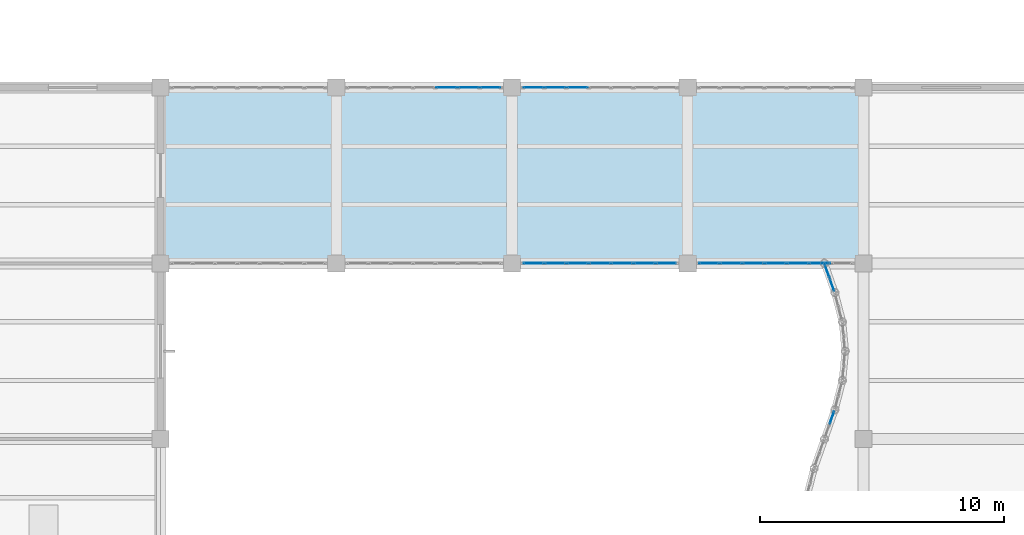
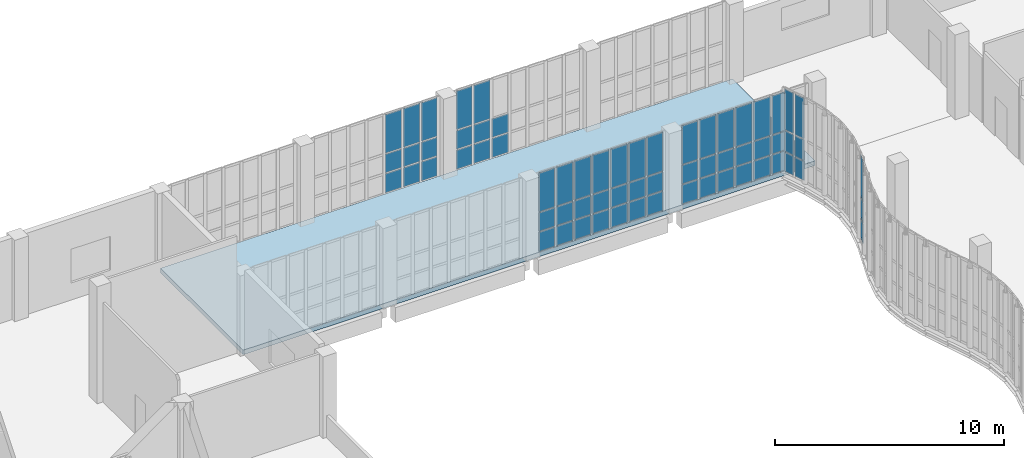
# One storey, part 75 of 108: 65 plates, 1 slab, 6 elements without a shape of their own.
"""IFC4 building model written with IfcOpenShell, lengths in metres."""

from ifc_helpers import new_model, si_unit, direction, frame, origin, origin_2d, place, context, subcontext, project, spatial, polyline, rectangle, outline, extrude, material, layer, layer_set, type_object, element, aggregate, save


model = new_model("IFC4")

# Units and contexts
model_context = context("Model", 3, precision=1e-05, world=origin(), true_north=direction((0.0, 1.0)))
body_context = subcontext(model_context, "Body", "Model", "MODEL_VIEW")
ifc_project = project(units=[si_unit("LENGTHUNIT", "METRE"), si_unit("AREAUNIT", "SQUARE_METRE"), si_unit("VOLUMEUNIT", "CUBIC_METRE"), si_unit("PLANEANGLEUNIT", "RADIAN"), si_unit("MASSUNIT", "GRAM", prefix="KILO"), si_unit("THERMODYNAMICTEMPERATUREUNIT", "KELVIN"), si_unit("POWERUNIT", "WATT")], contexts=[model_context])

# Site, building, storey
site_placement = place(None, origin())
site = spatial("IfcSite", under=ifc_project, at=site_placement, CompositionType="ELEMENT")
building_placement = place(site_placement, origin())
building = spatial("IfcBuilding", under=site, at=building_placement, Name="Kaldorven Railside Theatre", CompositionType="ELEMENT")
storey_placement = place(building_placement, frame((0.0, 0.0, 5.39990234375)))
storey = spatial("IfcBuildingStorey", under=building, at=storey_placement, Name="L01", CompositionType="ELEMENT", Elevation=5.39990234375)

# Curtain wall, plates
ifc_material_1 = material(Name="Low-E laminated solar-control glass", Category="glass")
ifc_layer_1 = layer(ifc_material_1, 0.159912109375, Name="Low-E laminated solar-control glass")
ifc_layer_set_1 = layer_set([ifc_layer_1], Name="Low-E laminated solar-control glass")
curtain_wall_type_1 = type_object("IfcCurtainWallType", Name="CWT-01", PredefinedType="USERDEFINED", material=ifc_layer_set_1)
curtain_wall_1_placement = place(storey_placement, origin())
curtain_wall_1 = element("IfcCurtainWall", 1, at=curtain_wall_1_placement, inside=storey, type_object=curtain_wall_type_1, Name="Sinusoidal Fluted Curtain Wall CW-L01-W19", ObjectType="FLUTED GLAZING", PredefinedType="USERDEFINED")
ifc_layer_2 = layer(ifc_material_1, 0.028076171875, Name="Low-E laminated solar-control glass")
ifc_layer_set_2 = layer_set([ifc_layer_2], Name="Low-E laminated solar-control glass")
plate_type = type_object("IfcPlateType", Name="CWP-GLZ28", PredefinedType="CURTAIN_PANEL", material=ifc_layer_set_2)
plate_1_placement = place(storey_placement, frame((71.511962890625, 63.28125, 0.06005859375), z_axis=(0.0, 0.0, 1.0), x_axis=(0.33384714225, 0.942627225159, 0.0)))
plate_1 = element("IfcPlate", 2, at=plate_1_placement, type_object=plate_type, Name="CW-L01-W19 panel 2.1", PredefinedType="CURTAIN_PANEL", context=body_context, shape_type="SweptSolid", body=[
    extrude(rectangle(XDim=0.5166015625, YDim=0.028076171875, at=origin_2d()), origin(), (0.0, 0.0, 1.0), 1.010009765625),
])
plate_2_placement = place(storey_placement, frame((71.511962890625, 63.28125, 1.1298828125), z_axis=(0.0, 0.0, 1.0), x_axis=(0.33384714225, 0.942627225159, 0.0)))
plate_2 = element("IfcPlate", 3, at=plate_2_placement, type_object=plate_type, Name="CW-L01-W19 panel 2.2", PredefinedType="CURTAIN_PANEL", context=body_context, shape_type="SweptSolid", body=[
    extrude(rectangle(XDim=0.5166015625, YDim=0.028076171875, at=origin_2d()), origin(), (0.0, 0.0, 1.0), 1.090087890625),
])
plate_3_placement = place(storey_placement, frame((71.511962890625, 63.28125, 2.2802734375), z_axis=(0.0, 0.0, 1.0), x_axis=(0.33384714225, 0.942627225159, 0.0)))
plate_3 = element("IfcPlate", 4, at=plate_3_placement, type_object=plate_type, Name="CW-L01-W19 panel 2.3", PredefinedType="CURTAIN_PANEL", context=body_context, shape_type="SweptSolid", body=[
    extrude(rectangle(XDim=0.5166015625, YDim=0.028076171875, at=origin_2d()), origin(), (0.0, 0.0, 1.0), 2.159912109375),
])
aggregate(curtain_wall_1, [plate_1, plate_2, plate_3])

curtain_wall_2_placement = place(storey_placement, origin())
curtain_wall_2 = element("IfcCurtainWall", 5, at=curtain_wall_2_placement, inside=storey, type_object=curtain_wall_type_1, Name="Sinusoidal Fluted Curtain Wall CW-L01-W24", ObjectType="FLUTED GLAZING", PredefinedType="USERDEFINED")
plate_4_placement = place(storey_placement, frame((71.511962890625, 68.71875, 0.06005859375), z_axis=(0.0, 0.0, 1.0), x_axis=(-0.33384714225, 0.942627225159, 0.0)))
plate_4 = element("IfcPlate", 6, at=plate_4_placement, type_object=plate_type, Name="CW-L01-W24 panel 1.1", PredefinedType="CURTAIN_PANEL", context=body_context, shape_type="SweptSolid", body=[
    extrude(rectangle(XDim=0.5166015625, YDim=0.028076171875, at=origin_2d()), origin(), (0.0, 0.0, 1.0), 1.010009765625),
])
plate_5_placement = place(storey_placement, frame((71.511962890625, 68.71875, 1.1298828125), z_axis=(0.0, 0.0, 1.0), x_axis=(-0.33384714225, 0.942627225159, 0.0)))
plate_5 = element("IfcPlate", 7, at=plate_5_placement, type_object=plate_type, Name="CW-L01-W24 panel 1.2", PredefinedType="CURTAIN_PANEL", context=body_context, shape_type="SweptSolid", body=[
    extrude(rectangle(XDim=0.5166015625, YDim=0.028076171875, at=origin_2d()), origin(), (0.0, 0.0, 1.0), 1.090087890625),
])
plate_6_placement = place(storey_placement, frame((71.511962890625, 68.71875, 2.2802734375), z_axis=(0.0, 0.0, 1.0), x_axis=(-0.33384714225, 0.942627225159, 0.0)))
plate_6 = element("IfcPlate", 8, at=plate_6_placement, type_object=plate_type, Name="CW-L01-W24 panel 1.3", PredefinedType="CURTAIN_PANEL", context=body_context, shape_type="SweptSolid", body=[
    extrude(rectangle(XDim=0.5166015625, YDim=0.028076171875, at=origin_2d()), origin(), (0.0, 0.0, 1.0), 2.159912109375),
])
plate_7_placement = place(storey_placement, frame((71.31298828125, 69.28125, 0.06005859375), z_axis=(0.0, 0.0, 1.0), x_axis=(-0.33384714225, 0.942627225159, 0.0)))
plate_7 = element("IfcPlate", 9, at=plate_7_placement, type_object=plate_type, Name="CW-L01-W24 panel 2.1", PredefinedType="CURTAIN_PANEL", context=body_context, shape_type="SweptSolid", body=[
    extrude(rectangle(XDim=0.5166015625, YDim=0.028076171875, at=origin_2d()), origin(), (0.0, 0.0, 1.0), 1.010009765625),
])
plate_8_placement = place(storey_placement, frame((71.31298828125, 69.28125, 1.1298828125), z_axis=(0.0, 0.0, 1.0), x_axis=(-0.33384714225, 0.942627225159, 0.0)))
plate_8 = element("IfcPlate", 10, at=plate_8_placement, type_object=plate_type, Name="CW-L01-W24 panel 2.2", PredefinedType="CURTAIN_PANEL", context=body_context, shape_type="SweptSolid", body=[
    extrude(rectangle(XDim=0.5166015625, YDim=0.028076171875, at=origin_2d()), origin(), (0.0, 0.0, 1.0), 1.090087890625),
])
plate_9_placement = place(storey_placement, frame((71.31298828125, 69.28125, 2.2802734375), z_axis=(0.0, 0.0, 1.0), x_axis=(-0.33384714225, 0.942627225159, 0.0)))
plate_9 = element("IfcPlate", 11, at=plate_9_placement, type_object=plate_type, Name="CW-L01-W24 panel 2.3", PredefinedType="CURTAIN_PANEL", context=body_context, shape_type="SweptSolid", body=[
    extrude(rectangle(XDim=0.5166015625, YDim=0.028076171875, at=origin_2d()), origin(), (0.0, 0.0, 1.0), 2.159912109375),
])
aggregate(curtain_wall_2, [plate_4, plate_5, plate_6, plate_7, plate_8, plate_9])

ifc_layer_3 = layer(ifc_material_1, 0.159912109375, Name="Low-E laminated solar-control glass")
ifc_layer_set_3 = layer_set([ifc_layer_3], Name="Low-E laminated solar-control glass")
curtain_wall_type_2 = type_object("IfcCurtainWallType", Name="CWT-25", PredefinedType="USERDEFINED", material=ifc_layer_set_3)
curtain_wall_3_placement = place(storey_placement, origin())
curtain_wall_3 = element("IfcCurtainWall", 12, at=curtain_wall_3_placement, inside=storey, type_object=curtain_wall_type_2, Name="Sinusoidal Fluted Curtain Wall CW-L01-BN02", ObjectType="FLUTED GLAZING", PredefinedType="USERDEFINED")
plate_10_placement = place(storey_placement, frame((55.71435546875, 76.800048828125, 0.06005859375), z_axis=(0.0, 0.0, 1.0), x_axis=(1.0, 0.0, 0.0)))
plate_10 = element("IfcPlate", 13, at=plate_10_placement, type_object=plate_type, Name="CW-L01-BN02 panel 5.1", PredefinedType="CURTAIN_PANEL", context=body_context, shape_type="SweptSolid", body=[
    extrude(rectangle(XDim=0.834228515625, YDim=0.028076171875, at=origin_2d()), origin(), (0.0, 0.0, 1.0), 1.010009765625),
])
plate_11_placement = place(storey_placement, frame((55.71435546875, 76.800048828125, 1.130126953125), z_axis=(0.0, 0.0, 1.0), x_axis=(1.0, 0.0, 0.0)))
plate_11 = element("IfcPlate", 14, at=plate_11_placement, type_object=plate_type, Name="CW-L01-BN02 panel 5.2", PredefinedType="CURTAIN_PANEL", context=body_context, shape_type="SweptSolid", body=[
    extrude(rectangle(XDim=0.834228515625, YDim=0.028076171875, at=origin_2d()), origin(), (0.0, 0.0, 1.0), 0.97998046875),
])
plate_12_placement = place(storey_placement, frame((55.71435546875, 76.800048828125, 2.169921875), z_axis=(0.0, 0.0, 1.0), x_axis=(1.0, 0.0, 0.0)))
plate_12 = element("IfcPlate", 15, at=plate_12_placement, type_object=plate_type, Name="CW-L01-BN02 panel 5.3", PredefinedType="CURTAIN_PANEL", context=body_context, shape_type="SweptSolid", body=[
    extrude(rectangle(XDim=0.834228515625, YDim=0.028076171875, at=origin_2d()), origin(), (0.0, 0.0, 1.0), 2.050048828125),
])
plate_13_placement = place(storey_placement, frame((56.628662109375, 76.800048828125, 0.06005859375), z_axis=(0.0, 0.0, 1.0), x_axis=(1.0, 0.0, 0.0)))
plate_13 = element("IfcPlate", 16, at=plate_13_placement, type_object=plate_type, Name="CW-L01-BN02 panel 6.1", PredefinedType="CURTAIN_PANEL", context=body_context, shape_type="SweptSolid", body=[
    extrude(rectangle(XDim=0.834228515625, YDim=0.028076171875, at=origin_2d()), origin(), (0.0, 0.0, 1.0), 1.010009765625),
])
plate_14_placement = place(storey_placement, frame((56.628662109375, 76.800048828125, 1.130126953125), z_axis=(0.0, 0.0, 1.0), x_axis=(1.0, 0.0, 0.0)))
plate_14 = element("IfcPlate", 17, at=plate_14_placement, type_object=plate_type, Name="CW-L01-BN02 panel 6.2", PredefinedType="CURTAIN_PANEL", context=body_context, shape_type="SweptSolid", body=[
    extrude(rectangle(XDim=0.834228515625, YDim=0.028076171875, at=origin_2d()), origin(), (0.0, 0.0, 1.0), 0.97998046875),
])
plate_15_placement = place(storey_placement, frame((56.628662109375, 76.800048828125, 2.169921875), z_axis=(0.0, 0.0, 1.0), x_axis=(1.0, 0.0, 0.0)))
plate_15 = element("IfcPlate", 18, at=plate_15_placement, type_object=plate_type, Name="CW-L01-BN02 panel 6.3", PredefinedType="CURTAIN_PANEL", context=body_context, shape_type="SweptSolid", body=[
    extrude(rectangle(XDim=0.834228515625, YDim=0.028076171875, at=origin_2d()), origin(), (0.0, 0.0, 1.0), 2.050048828125),
])
plate_16_placement = place(storey_placement, frame((57.52294921875, 76.800048828125, 0.06005859375), z_axis=(0.0, 0.0, 1.0), x_axis=(1.0, 0.0, 0.0)))
plate_16 = element("IfcPlate", 19, at=plate_16_placement, type_object=plate_type, Name="CW-L01-BN02 panel 7.1", PredefinedType="CURTAIN_PANEL", context=body_context, shape_type="SweptSolid", body=[
    extrude(rectangle(XDim=0.794189453125, YDim=0.028076171875, at=origin_2d()), origin(), (0.0, 0.0, 1.0), 1.010009765625),
])
plate_17_placement = place(storey_placement, frame((57.52294921875, 76.800048828125, 1.130126953125), z_axis=(0.0, 0.0, 1.0), x_axis=(1.0, 0.0, 0.0)))
plate_17 = element("IfcPlate", 20, at=plate_17_placement, type_object=plate_type, Name="CW-L01-BN02 panel 7.2", PredefinedType="CURTAIN_PANEL", context=body_context, shape_type="SweptSolid", body=[
    extrude(rectangle(XDim=0.794189453125, YDim=0.028076171875, at=origin_2d()), origin(), (0.0, 0.0, 1.0), 0.97998046875),
])
plate_18_placement = place(storey_placement, frame((57.52294921875, 76.800048828125, 2.169921875), z_axis=(0.0, 0.0, 1.0), x_axis=(1.0, 0.0, 0.0)))
plate_18 = element("IfcPlate", 21, at=plate_18_placement, type_object=plate_type, Name="CW-L01-BN02 panel 7.3", PredefinedType="CURTAIN_PANEL", context=body_context, shape_type="SweptSolid", body=[
    extrude(rectangle(XDim=0.794189453125, YDim=0.028076171875, at=origin_2d()), origin(), (0.0, 0.0, 1.0), 2.050048828125),
])
aggregate(curtain_wall_3, [plate_10, plate_11, plate_12, plate_13, plate_14, plate_15, plate_16, plate_17, plate_18])

curtain_wall_4_placement = place(storey_placement, origin())
curtain_wall_4 = element("IfcCurtainWall", 22, at=curtain_wall_4_placement, inside=storey, type_object=curtain_wall_type_2, Name="Sinusoidal Fluted Curtain Wall CW-L01-BS03", ObjectType="FLUTED GLAZING", PredefinedType="USERDEFINED")
plate_19_placement = place(storey_placement, frame((59.277099609375, 69.60009765625, 0.06005859375), z_axis=(0.0, 0.0, 1.0), x_axis=(1.0, 0.0, 0.0)))
plate_19 = element("IfcPlate", 23, at=plate_19_placement, type_object=plate_type, Name="CW-L01-BS03 panel 1.1", PredefinedType="CURTAIN_PANEL", context=body_context, shape_type="SweptSolid", body=[
    extrude(rectangle(XDim=0.794189453125, YDim=0.028076171875, at=origin_2d()), origin(), (0.0, 0.0, 1.0), 1.010009765625),
])
plate_20_placement = place(storey_placement, frame((59.277099609375, 69.60009765625, 1.130126953125), z_axis=(0.0, 0.0, 1.0), x_axis=(1.0, 0.0, 0.0)))
plate_20 = element("IfcPlate", 24, at=plate_20_placement, type_object=plate_type, Name="CW-L01-BS03 panel 1.2", PredefinedType="CURTAIN_PANEL", context=body_context, shape_type="SweptSolid", body=[
    extrude(rectangle(XDim=0.794189453125, YDim=0.028076171875, at=origin_2d()), origin(), (0.0, 0.0, 1.0), 0.97998046875),
])
plate_21_placement = place(storey_placement, frame((59.277099609375, 69.60009765625, 2.169921875), z_axis=(0.0, 0.0, 1.0), x_axis=(1.0, 0.0, 0.0)))
plate_21 = element("IfcPlate", 25, at=plate_21_placement, type_object=plate_type, Name="CW-L01-BS03 panel 1.3", PredefinedType="CURTAIN_PANEL", context=body_context, shape_type="SweptSolid", body=[
    extrude(rectangle(XDim=0.794189453125, YDim=0.028076171875, at=origin_2d()), origin(), (0.0, 0.0, 1.0), 2.050048828125),
])
plate_22_placement = place(storey_placement, frame((60.17138671875, 69.60009765625, 0.06005859375), z_axis=(0.0, 0.0, 1.0), x_axis=(1.0, 0.0, 0.0)))
plate_22 = element("IfcPlate", 26, at=plate_22_placement, type_object=plate_type, Name="CW-L01-BS03 panel 2.1", PredefinedType="CURTAIN_PANEL", context=body_context, shape_type="SweptSolid", body=[
    extrude(rectangle(XDim=0.834228515625, YDim=0.028076171875, at=origin_2d()), origin(), (0.0, 0.0, 1.0), 1.010009765625),
])
plate_23_placement = place(storey_placement, frame((60.17138671875, 69.60009765625, 1.130126953125), z_axis=(0.0, 0.0, 1.0), x_axis=(1.0, 0.0, 0.0)))
plate_23 = element("IfcPlate", 27, at=plate_23_placement, type_object=plate_type, Name="CW-L01-BS03 panel 2.2", PredefinedType="CURTAIN_PANEL", context=body_context, shape_type="SweptSolid", body=[
    extrude(rectangle(XDim=0.834228515625, YDim=0.028076171875, at=origin_2d()), origin(), (0.0, 0.0, 1.0), 0.97998046875),
])
plate_24_placement = place(storey_placement, frame((60.17138671875, 69.60009765625, 2.169921875), z_axis=(0.0, 0.0, 1.0), x_axis=(1.0, 0.0, 0.0)))
plate_24 = element("IfcPlate", 28, at=plate_24_placement, type_object=plate_type, Name="CW-L01-BS03 panel 2.3", PredefinedType="CURTAIN_PANEL", context=body_context, shape_type="SweptSolid", body=[
    extrude(rectangle(XDim=0.834228515625, YDim=0.028076171875, at=origin_2d()), origin(), (0.0, 0.0, 1.0), 2.050048828125),
])
plate_25_placement = place(storey_placement, frame((61.085693359375, 69.60009765625, 0.06005859375), z_axis=(0.0, 0.0, 1.0), x_axis=(1.0, 0.0, 0.0)))
plate_25 = element("IfcPlate", 29, at=plate_25_placement, type_object=plate_type, Name="CW-L01-BS03 panel 3.1", PredefinedType="CURTAIN_PANEL", context=body_context, shape_type="SweptSolid", body=[
    extrude(rectangle(XDim=0.834228515625, YDim=0.028076171875, at=origin_2d()), origin(), (0.0, 0.0, 1.0), 1.010009765625),
])
plate_26_placement = place(storey_placement, frame((61.085693359375, 69.60009765625, 1.130126953125), z_axis=(0.0, 0.0, 1.0), x_axis=(1.0, 0.0, 0.0)))
plate_26 = element("IfcPlate", 30, at=plate_26_placement, type_object=plate_type, Name="CW-L01-BS03 panel 3.2", PredefinedType="CURTAIN_PANEL", context=body_context, shape_type="SweptSolid", body=[
    extrude(rectangle(XDim=0.834228515625, YDim=0.028076171875, at=origin_2d()), origin(), (0.0, 0.0, 1.0), 0.97998046875),
])
plate_27_placement = place(storey_placement, frame((61.085693359375, 69.60009765625, 2.169921875), z_axis=(0.0, 0.0, 1.0), x_axis=(1.0, 0.0, 0.0)))
plate_27 = element("IfcPlate", 31, at=plate_27_placement, type_object=plate_type, Name="CW-L01-BS03 panel 3.3", PredefinedType="CURTAIN_PANEL", context=body_context, shape_type="SweptSolid", body=[
    extrude(rectangle(XDim=0.834228515625, YDim=0.028076171875, at=origin_2d()), origin(), (0.0, 0.0, 1.0), 2.050048828125),
])
plate_28_placement = place(storey_placement, frame((62.0, 69.60009765625, 0.06005859375), z_axis=(0.0, 0.0, 1.0), x_axis=(1.0, 0.0, 0.0)))
plate_28 = element("IfcPlate", 32, at=plate_28_placement, type_object=plate_type, Name="CW-L01-BS03 panel 4.1", PredefinedType="CURTAIN_PANEL", context=body_context, shape_type="SweptSolid", body=[
    extrude(rectangle(XDim=0.834228515625, YDim=0.028076171875, at=origin_2d()), origin(), (0.0, 0.0, 1.0), 1.010009765625),
])
plate_29_placement = place(storey_placement, frame((62.0, 69.60009765625, 1.130126953125), z_axis=(0.0, 0.0, 1.0), x_axis=(1.0, 0.0, 0.0)))
plate_29 = element("IfcPlate", 33, at=plate_29_placement, type_object=plate_type, Name="CW-L01-BS03 panel 4.2", PredefinedType="CURTAIN_PANEL", context=body_context, shape_type="SweptSolid", body=[
    extrude(rectangle(XDim=0.834228515625, YDim=0.028076171875, at=origin_2d()), origin(), (0.0, 0.0, 1.0), 0.97998046875),
])
plate_30_placement = place(storey_placement, frame((62.0, 69.60009765625, 2.169921875), z_axis=(0.0, 0.0, 1.0), x_axis=(1.0, 0.0, 0.0)))
plate_30 = element("IfcPlate", 34, at=plate_30_placement, type_object=plate_type, Name="CW-L01-BS03 panel 4.3", PredefinedType="CURTAIN_PANEL", context=body_context, shape_type="SweptSolid", body=[
    extrude(rectangle(XDim=0.834228515625, YDim=0.028076171875, at=origin_2d()), origin(), (0.0, 0.0, 1.0), 2.050048828125),
])
plate_31_placement = place(storey_placement, frame((62.914306640625, 69.60009765625, 0.06005859375), z_axis=(0.0, 0.0, 1.0), x_axis=(1.0, 0.0, 0.0)))
plate_31 = element("IfcPlate", 35, at=plate_31_placement, type_object=plate_type, Name="CW-L01-BS03 panel 5.1", PredefinedType="CURTAIN_PANEL", context=body_context, shape_type="SweptSolid", body=[
    extrude(rectangle(XDim=0.834228515625, YDim=0.028076171875, at=origin_2d()), origin(), (0.0, 0.0, 1.0), 1.010009765625),
])
plate_32_placement = place(storey_placement, frame((62.914306640625, 69.60009765625, 1.130126953125), z_axis=(0.0, 0.0, 1.0), x_axis=(1.0, 0.0, 0.0)))
plate_32 = element("IfcPlate", 36, at=plate_32_placement, type_object=plate_type, Name="CW-L01-BS03 panel 5.2", PredefinedType="CURTAIN_PANEL", context=body_context, shape_type="SweptSolid", body=[
    extrude(rectangle(XDim=0.834228515625, YDim=0.028076171875, at=origin_2d()), origin(), (0.0, 0.0, 1.0), 0.97998046875),
])
plate_33_placement = place(storey_placement, frame((62.914306640625, 69.60009765625, 2.169921875), z_axis=(0.0, 0.0, 1.0), x_axis=(1.0, 0.0, 0.0)))
plate_33 = element("IfcPlate", 37, at=plate_33_placement, type_object=plate_type, Name="CW-L01-BS03 panel 5.3", PredefinedType="CURTAIN_PANEL", context=body_context, shape_type="SweptSolid", body=[
    extrude(rectangle(XDim=0.834228515625, YDim=0.028076171875, at=origin_2d()), origin(), (0.0, 0.0, 1.0), 2.050048828125),
])
plate_34_placement = place(storey_placement, frame((63.82861328125, 69.60009765625, 0.06005859375), z_axis=(0.0, 0.0, 1.0), x_axis=(1.0, 0.0, 0.0)))
plate_34 = element("IfcPlate", 38, at=plate_34_placement, type_object=plate_type, Name="CW-L01-BS03 panel 6.1", PredefinedType="CURTAIN_PANEL", context=body_context, shape_type="SweptSolid", body=[
    extrude(rectangle(XDim=0.834228515625, YDim=0.028076171875, at=origin_2d()), origin(), (0.0, 0.0, 1.0), 1.010009765625),
])
plate_35_placement = place(storey_placement, frame((63.82861328125, 69.60009765625, 1.130126953125), z_axis=(0.0, 0.0, 1.0), x_axis=(1.0, 0.0, 0.0)))
plate_35 = element("IfcPlate", 39, at=plate_35_placement, type_object=plate_type, Name="CW-L01-BS03 panel 6.2", PredefinedType="CURTAIN_PANEL", context=body_context, shape_type="SweptSolid", body=[
    extrude(rectangle(XDim=0.834228515625, YDim=0.028076171875, at=origin_2d()), origin(), (0.0, 0.0, 1.0), 0.97998046875),
])
plate_36_placement = place(storey_placement, frame((63.82861328125, 69.60009765625, 2.169921875), z_axis=(0.0, 0.0, 1.0), x_axis=(1.0, 0.0, 0.0)))
plate_36 = element("IfcPlate", 40, at=plate_36_placement, type_object=plate_type, Name="CW-L01-BS03 panel 6.3", PredefinedType="CURTAIN_PANEL", context=body_context, shape_type="SweptSolid", body=[
    extrude(rectangle(XDim=0.834228515625, YDim=0.028076171875, at=origin_2d()), origin(), (0.0, 0.0, 1.0), 2.050048828125),
])
plate_37_placement = place(storey_placement, frame((64.722900390625, 69.60009765625, 0.06005859375), z_axis=(0.0, 0.0, 1.0), x_axis=(1.0, 0.0, 0.0)))
plate_37 = element("IfcPlate", 41, at=plate_37_placement, type_object=plate_type, Name="CW-L01-BS03 panel 7.1", PredefinedType="CURTAIN_PANEL", context=body_context, shape_type="SweptSolid", body=[
    extrude(rectangle(XDim=0.794189453125, YDim=0.028076171875, at=origin_2d()), origin(), (0.0, 0.0, 1.0), 1.010009765625),
])
plate_38_placement = place(storey_placement, frame((64.722900390625, 69.60009765625, 1.130126953125), z_axis=(0.0, 0.0, 1.0), x_axis=(1.0, 0.0, 0.0)))
plate_38 = element("IfcPlate", 42, at=plate_38_placement, type_object=plate_type, Name="CW-L01-BS03 panel 7.2", PredefinedType="CURTAIN_PANEL", context=body_context, shape_type="SweptSolid", body=[
    extrude(rectangle(XDim=0.794189453125, YDim=0.028076171875, at=origin_2d()), origin(), (0.0, 0.0, 1.0), 0.97998046875),
])
plate_39_placement = place(storey_placement, frame((64.722900390625, 69.60009765625, 2.169921875), z_axis=(0.0, 0.0, 1.0), x_axis=(1.0, 0.0, 0.0)))
plate_39 = element("IfcPlate", 43, at=plate_39_placement, type_object=plate_type, Name="CW-L01-BS03 panel 7.3", PredefinedType="CURTAIN_PANEL", context=body_context, shape_type="SweptSolid", body=[
    extrude(rectangle(XDim=0.794189453125, YDim=0.028076171875, at=origin_2d()), origin(), (0.0, 0.0, 1.0), 2.050048828125),
])
aggregate(curtain_wall_4, [plate_19, plate_20, plate_21, plate_22, plate_23, plate_24, plate_25, plate_26, plate_27, plate_28, plate_29, plate_30, plate_31, plate_32, plate_33, plate_34, plate_35, plate_36, plate_37, plate_38, plate_39])

curtain_wall_5_placement = place(storey_placement, origin())
curtain_wall_5 = element("IfcCurtainWall", 44, at=curtain_wall_5_placement, inside=storey, type_object=curtain_wall_type_2, Name="Sinusoidal Fluted Curtain Wall CW-L01-BN03", ObjectType="FLUTED GLAZING", PredefinedType="USERDEFINED")
plate_40_placement = place(storey_placement, frame((59.277099609375, 76.800048828125, 0.06005859375), z_axis=(0.0, 0.0, 1.0), x_axis=(1.0, 0.0, 0.0)))
plate_40 = element("IfcPlate", 45, at=plate_40_placement, type_object=plate_type, Name="CW-L01-BN03 panel 1.1", PredefinedType="CURTAIN_PANEL", context=body_context, shape_type="SweptSolid", body=[
    extrude(rectangle(XDim=0.794189453125, YDim=0.028076171875, at=origin_2d()), origin(), (0.0, 0.0, 1.0), 1.010009765625),
])
plate_41_placement = place(storey_placement, frame((59.277099609375, 76.800048828125, 1.130126953125), z_axis=(0.0, 0.0, 1.0), x_axis=(1.0, 0.0, 0.0)))
plate_41 = element("IfcPlate", 46, at=plate_41_placement, type_object=plate_type, Name="CW-L01-BN03 panel 1.2", PredefinedType="CURTAIN_PANEL", context=body_context, shape_type="SweptSolid", body=[
    extrude(rectangle(XDim=0.794189453125, YDim=0.028076171875, at=origin_2d()), origin(), (0.0, 0.0, 1.0), 0.97998046875),
])
plate_42_placement = place(storey_placement, frame((59.277099609375, 76.800048828125, 2.169921875), z_axis=(0.0, 0.0, 1.0), x_axis=(1.0, 0.0, 0.0)))
plate_42 = element("IfcPlate", 47, at=plate_42_placement, type_object=plate_type, Name="CW-L01-BN03 panel 1.3", PredefinedType="CURTAIN_PANEL", context=body_context, shape_type="SweptSolid", body=[
    extrude(rectangle(XDim=0.794189453125, YDim=0.028076171875, at=origin_2d()), origin(), (0.0, 0.0, 1.0), 2.050048828125),
])
plate_43_placement = place(storey_placement, frame((60.17138671875, 76.800048828125, 0.06005859375), z_axis=(0.0, 0.0, 1.0), x_axis=(1.0, 0.0, 0.0)))
plate_43 = element("IfcPlate", 48, at=plate_43_placement, type_object=plate_type, Name="CW-L01-BN03 panel 2.1", PredefinedType="CURTAIN_PANEL", context=body_context, shape_type="SweptSolid", body=[
    extrude(rectangle(XDim=0.834228515625, YDim=0.028076171875, at=origin_2d()), origin(), (0.0, 0.0, 1.0), 1.010009765625),
])
plate_44_placement = place(storey_placement, frame((60.17138671875, 76.800048828125, 1.130126953125), z_axis=(0.0, 0.0, 1.0), x_axis=(1.0, 0.0, 0.0)))
plate_44 = element("IfcPlate", 49, at=plate_44_placement, type_object=plate_type, Name="CW-L01-BN03 panel 2.2", PredefinedType="CURTAIN_PANEL", context=body_context, shape_type="SweptSolid", body=[
    extrude(rectangle(XDim=0.834228515625, YDim=0.028076171875, at=origin_2d()), origin(), (0.0, 0.0, 1.0), 0.97998046875),
])
plate_45_placement = place(storey_placement, frame((60.17138671875, 76.800048828125, 2.169921875), z_axis=(0.0, 0.0, 1.0), x_axis=(1.0, 0.0, 0.0)))
plate_45 = element("IfcPlate", 50, at=plate_45_placement, type_object=plate_type, Name="CW-L01-BN03 panel 2.3", PredefinedType="CURTAIN_PANEL", context=body_context, shape_type="SweptSolid", body=[
    extrude(rectangle(XDim=0.834228515625, YDim=0.028076171875, at=origin_2d()), origin(), (0.0, 0.0, 1.0), 2.050048828125),
])
plate_46_placement = place(storey_placement, frame((61.085693359375, 76.800048828125, 0.06005859375), z_axis=(0.0, 0.0, 1.0), x_axis=(1.0, 0.0, 0.0)))
plate_46 = element("IfcPlate", 51, at=plate_46_placement, type_object=plate_type, Name="CW-L01-BN03 panel 3.1", PredefinedType="CURTAIN_PANEL", context=body_context, shape_type="SweptSolid", body=[
    extrude(rectangle(XDim=0.834228515625, YDim=0.028076171875, at=origin_2d()), origin(), (0.0, 0.0, 1.0), 1.010009765625),
])
plate_47_placement = place(storey_placement, frame((61.085693359375, 76.800048828125, 1.130126953125), z_axis=(0.0, 0.0, 1.0), x_axis=(1.0, 0.0, 0.0)))
plate_47 = element("IfcPlate", 52, at=plate_47_placement, type_object=plate_type, Name="CW-L01-BN03 panel 3.2", PredefinedType="CURTAIN_PANEL", context=body_context, shape_type="SweptSolid", body=[
    extrude(rectangle(XDim=0.834228515625, YDim=0.028076171875, at=origin_2d()), origin(), (0.0, 0.0, 1.0), 0.97998046875),
])
aggregate(curtain_wall_5, [plate_40, plate_41, plate_42, plate_43, plate_44, plate_45, plate_46, plate_47])

curtain_wall_6_placement = place(storey_placement, origin())
curtain_wall_6 = element("IfcCurtainWall", 53, at=curtain_wall_6_placement, inside=storey, type_object=curtain_wall_type_2, Name="Sinusoidal Fluted Curtain Wall CW-L01-BS04", ObjectType="FLUTED GLAZING", PredefinedType="USERDEFINED")
plate_48_placement = place(storey_placement, frame((66.47705078125, 69.60009765625, 0.06005859375), z_axis=(0.0, 0.0, 1.0), x_axis=(1.0, 0.0, 0.0)))
plate_48 = element("IfcPlate", 54, at=plate_48_placement, type_object=plate_type, Name="CW-L01-BS04 panel 1.1", PredefinedType="CURTAIN_PANEL", context=body_context, shape_type="SweptSolid", body=[
    extrude(rectangle(XDim=0.794189453125, YDim=0.028076171875, at=origin_2d()), origin(), (0.0, 0.0, 1.0), 1.010009765625),
])
plate_49_placement = place(storey_placement, frame((66.47705078125, 69.60009765625, 1.130126953125), z_axis=(0.0, 0.0, 1.0), x_axis=(1.0, 0.0, 0.0)))
plate_49 = element("IfcPlate", 55, at=plate_49_placement, type_object=plate_type, Name="CW-L01-BS04 panel 1.2", PredefinedType="CURTAIN_PANEL", context=body_context, shape_type="SweptSolid", body=[
    extrude(rectangle(XDim=0.794189453125, YDim=0.028076171875, at=origin_2d()), origin(), (0.0, 0.0, 1.0), 0.97998046875),
])
plate_50_placement = place(storey_placement, frame((66.47705078125, 69.60009765625, 2.169921875), z_axis=(0.0, 0.0, 1.0), x_axis=(1.0, 0.0, 0.0)))
plate_50 = element("IfcPlate", 56, at=plate_50_placement, type_object=plate_type, Name="CW-L01-BS04 panel 1.3", PredefinedType="CURTAIN_PANEL", context=body_context, shape_type="SweptSolid", body=[
    extrude(rectangle(XDim=0.794189453125, YDim=0.028076171875, at=origin_2d()), origin(), (0.0, 0.0, 1.0), 2.050048828125),
])
plate_51_placement = place(storey_placement, frame((67.371337890625, 69.60009765625, 0.06005859375), z_axis=(0.0, 0.0, 1.0), x_axis=(1.0, 0.0, 0.0)))
plate_51 = element("IfcPlate", 57, at=plate_51_placement, type_object=plate_type, Name="CW-L01-BS04 panel 2.1", PredefinedType="CURTAIN_PANEL", context=body_context, shape_type="SweptSolid", body=[
    extrude(rectangle(XDim=0.834228515625, YDim=0.028076171875, at=origin_2d()), origin(), (0.0, 0.0, 1.0), 1.010009765625),
])
plate_52_placement = place(storey_placement, frame((67.371337890625, 69.60009765625, 1.130126953125), z_axis=(0.0, 0.0, 1.0), x_axis=(1.0, 0.0, 0.0)))
plate_52 = element("IfcPlate", 58, at=plate_52_placement, type_object=plate_type, Name="CW-L01-BS04 panel 2.2", PredefinedType="CURTAIN_PANEL", context=body_context, shape_type="SweptSolid", body=[
    extrude(rectangle(XDim=0.834228515625, YDim=0.028076171875, at=origin_2d()), origin(), (0.0, 0.0, 1.0), 0.97998046875),
])
plate_53_placement = place(storey_placement, frame((67.371337890625, 69.60009765625, 2.169921875), z_axis=(0.0, 0.0, 1.0), x_axis=(1.0, 0.0, 0.0)))
plate_53 = element("IfcPlate", 59, at=plate_53_placement, type_object=plate_type, Name="CW-L01-BS04 panel 2.3", PredefinedType="CURTAIN_PANEL", context=body_context, shape_type="SweptSolid", body=[
    extrude(rectangle(XDim=0.834228515625, YDim=0.028076171875, at=origin_2d()), origin(), (0.0, 0.0, 1.0), 2.050048828125),
])
plate_54_placement = place(storey_placement, frame((68.28564453125, 69.60009765625, 0.06005859375), z_axis=(0.0, 0.0, 1.0), x_axis=(1.0, 0.0, 0.0)))
plate_54 = element("IfcPlate", 60, at=plate_54_placement, type_object=plate_type, Name="CW-L01-BS04 panel 3.1", PredefinedType="CURTAIN_PANEL", context=body_context, shape_type="SweptSolid", body=[
    extrude(rectangle(XDim=0.834228515625, YDim=0.028076171875, at=origin_2d()), origin(), (0.0, 0.0, 1.0), 1.010009765625),
])
plate_55_placement = place(storey_placement, frame((68.28564453125, 69.60009765625, 1.130126953125), z_axis=(0.0, 0.0, 1.0), x_axis=(1.0, 0.0, 0.0)))
plate_55 = element("IfcPlate", 61, at=plate_55_placement, type_object=plate_type, Name="CW-L01-BS04 panel 3.2", PredefinedType="CURTAIN_PANEL", context=body_context, shape_type="SweptSolid", body=[
    extrude(rectangle(XDim=0.834228515625, YDim=0.028076171875, at=origin_2d()), origin(), (0.0, 0.0, 1.0), 0.97998046875),
])
plate_56_placement = place(storey_placement, frame((68.28564453125, 69.60009765625, 2.169921875), z_axis=(0.0, 0.0, 1.0), x_axis=(1.0, 0.0, 0.0)))
plate_56 = element("IfcPlate", 62, at=plate_56_placement, type_object=plate_type, Name="CW-L01-BS04 panel 3.3", PredefinedType="CURTAIN_PANEL", context=body_context, shape_type="SweptSolid", body=[
    extrude(rectangle(XDim=0.834228515625, YDim=0.028076171875, at=origin_2d()), origin(), (0.0, 0.0, 1.0), 2.050048828125),
])
plate_57_placement = place(storey_placement, frame((69.199951171875, 69.60009765625, 0.06005859375), z_axis=(0.0, 0.0, 1.0), x_axis=(1.0, 0.0, 0.0)))
plate_57 = element("IfcPlate", 63, at=plate_57_placement, type_object=plate_type, Name="CW-L01-BS04 panel 4.1", PredefinedType="CURTAIN_PANEL", context=body_context, shape_type="SweptSolid", body=[
    extrude(rectangle(XDim=0.834228515625, YDim=0.028076171875, at=origin_2d()), origin(), (0.0, 0.0, 1.0), 1.010009765625),
])
plate_58_placement = place(storey_placement, frame((69.199951171875, 69.60009765625, 1.130126953125), z_axis=(0.0, 0.0, 1.0), x_axis=(1.0, 0.0, 0.0)))
plate_58 = element("IfcPlate", 64, at=plate_58_placement, type_object=plate_type, Name="CW-L01-BS04 panel 4.2", PredefinedType="CURTAIN_PANEL", context=body_context, shape_type="SweptSolid", body=[
    extrude(rectangle(XDim=0.834228515625, YDim=0.028076171875, at=origin_2d()), origin(), (0.0, 0.0, 1.0), 0.97998046875),
])
plate_59_placement = place(storey_placement, frame((69.199951171875, 69.60009765625, 2.169921875), z_axis=(0.0, 0.0, 1.0), x_axis=(1.0, 0.0, 0.0)))
plate_59 = element("IfcPlate", 65, at=plate_59_placement, type_object=plate_type, Name="CW-L01-BS04 panel 4.3", PredefinedType="CURTAIN_PANEL", context=body_context, shape_type="SweptSolid", body=[
    extrude(rectangle(XDim=0.834228515625, YDim=0.028076171875, at=origin_2d()), origin(), (0.0, 0.0, 1.0), 2.050048828125),
])
plate_60_placement = place(storey_placement, frame((70.1142578125, 69.60009765625, 0.06005859375), z_axis=(0.0, 0.0, 1.0), x_axis=(1.0, 0.0, 0.0)))
plate_60 = element("IfcPlate", 66, at=plate_60_placement, type_object=plate_type, Name="CW-L01-BS04 panel 5.1", PredefinedType="CURTAIN_PANEL", context=body_context, shape_type="SweptSolid", body=[
    extrude(rectangle(XDim=0.834228515625, YDim=0.028076171875, at=origin_2d()), origin(), (0.0, 0.0, 1.0), 1.010009765625),
])
plate_61_placement = place(storey_placement, frame((70.1142578125, 69.60009765625, 1.130126953125), z_axis=(0.0, 0.0, 1.0), x_axis=(1.0, 0.0, 0.0)))
plate_61 = element("IfcPlate", 67, at=plate_61_placement, type_object=plate_type, Name="CW-L01-BS04 panel 5.2", PredefinedType="CURTAIN_PANEL", context=body_context, shape_type="SweptSolid", body=[
    extrude(rectangle(XDim=0.834228515625, YDim=0.028076171875, at=origin_2d()), origin(), (0.0, 0.0, 1.0), 0.97998046875),
])
plate_62_placement = place(storey_placement, frame((70.1142578125, 69.60009765625, 2.169921875), z_axis=(0.0, 0.0, 1.0), x_axis=(1.0, 0.0, 0.0)))
plate_62 = element("IfcPlate", 68, at=plate_62_placement, type_object=plate_type, Name="CW-L01-BS04 panel 5.3", PredefinedType="CURTAIN_PANEL", context=body_context, shape_type="SweptSolid", body=[
    extrude(rectangle(XDim=0.834228515625, YDim=0.028076171875, at=origin_2d()), origin(), (0.0, 0.0, 1.0), 2.050048828125),
])
plate_63_placement = place(storey_placement, frame((71.028564453125, 69.60009765625, 0.06005859375), z_axis=(0.0, 0.0, 1.0), x_axis=(1.0, 0.0, 0.0)))
plate_63 = element("IfcPlate", 69, at=plate_63_placement, type_object=plate_type, Name="CW-L01-BS04 panel 6.1", PredefinedType="CURTAIN_PANEL", context=body_context, shape_type="SweptSolid", body=[
    extrude(rectangle(XDim=0.834228515625, YDim=0.028076171875, at=origin_2d()), origin(), (0.0, 0.0, 1.0), 1.010009765625),
])
plate_64_placement = place(storey_placement, frame((71.028564453125, 69.60009765625, 1.130126953125), z_axis=(0.0, 0.0, 1.0), x_axis=(1.0, 0.0, 0.0)))
plate_64 = element("IfcPlate", 70, at=plate_64_placement, type_object=plate_type, Name="CW-L01-BS04 panel 6.2", PredefinedType="CURTAIN_PANEL", context=body_context, shape_type="SweptSolid", body=[
    extrude(rectangle(XDim=0.834228515625, YDim=0.028076171875, at=origin_2d()), origin(), (0.0, 0.0, 1.0), 0.97998046875),
])
plate_65_placement = place(storey_placement, frame((71.028564453125, 69.60009765625, 2.169921875), z_axis=(0.0, 0.0, 1.0), x_axis=(1.0, 0.0, 0.0)))
plate_65 = element("IfcPlate", 71, at=plate_65_placement, type_object=plate_type, Name="CW-L01-BS04 panel 6.3", PredefinedType="CURTAIN_PANEL", context=body_context, shape_type="SweptSolid", body=[
    extrude(rectangle(XDim=0.834228515625, YDim=0.028076171875, at=origin_2d()), origin(), (0.0, 0.0, 1.0), 2.050048828125),
])
aggregate(curtain_wall_6, [plate_48, plate_49, plate_50, plate_51, plate_52, plate_53, plate_54, plate_55, plate_56, plate_57, plate_58, plate_59, plate_60, plate_61, plate_62, plate_63, plate_64, plate_65])

# Slab
ifc_material_2 = material(Name="Concrete C35/45", Category="concrete")
ifc_layer_4 = layer(ifc_material_2, 0.239990234375, Name="Concrete C35/45")
ifc_layer_set_4 = layer_set([ifc_layer_4], Name="Concrete C35/45")
slab_type = type_object("IfcSlabType", Name="SLB-FSL-240", PredefinedType="FLOOR", material=ifc_layer_set_4)
slab_placement = place(storey_placement, frame((0.0, 0.0, -0.239990234375)))
element("IfcSlab", 72, at=slab_placement, inside=storey, type_object=slab_type, Name="L01 Floor Slab SL-L01-BRG", PredefinedType="FLOOR", context=body_context, shape_type="SweptSolid", body=[
    extrude(outline(polyline([(44.0, 69.60009765625), (72.800048828125, 69.60009765625), (72.800048828125, 76.800048828125), (44.0, 76.800048828125), (44.0, 69.60009765625)])), origin(), (0.0, 0.0, 1.0), 0.239990234375),
])

save(model, "model.ifc")
